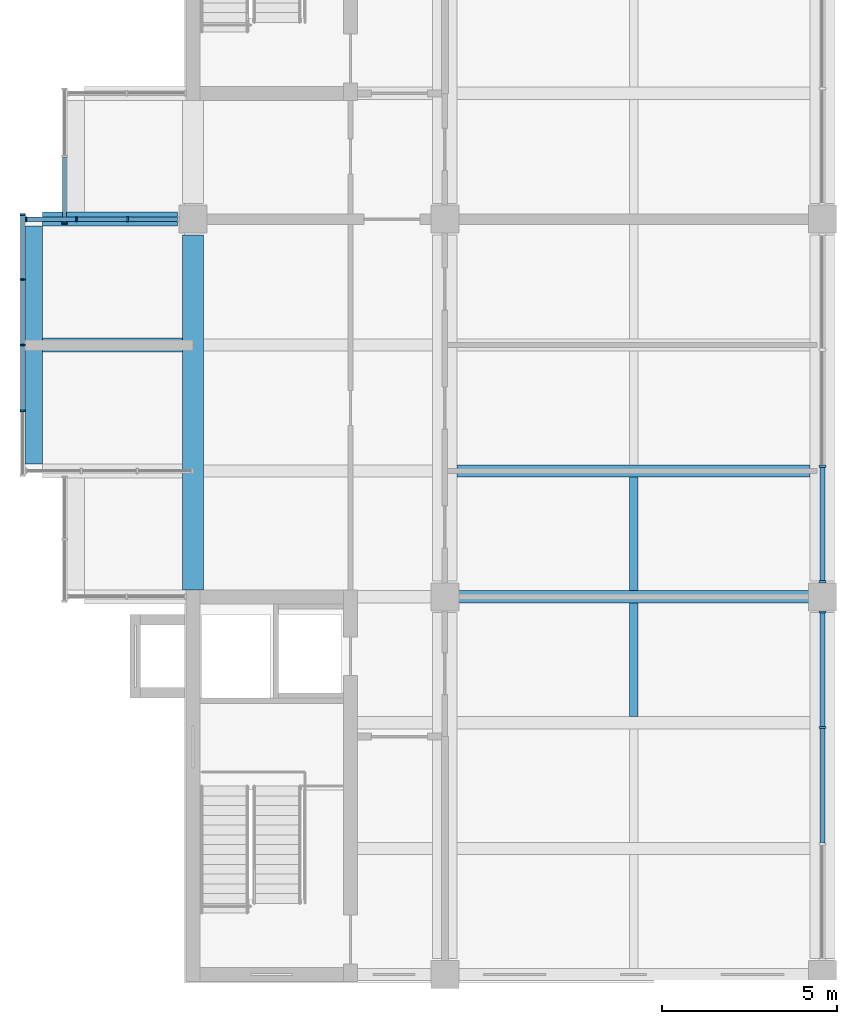
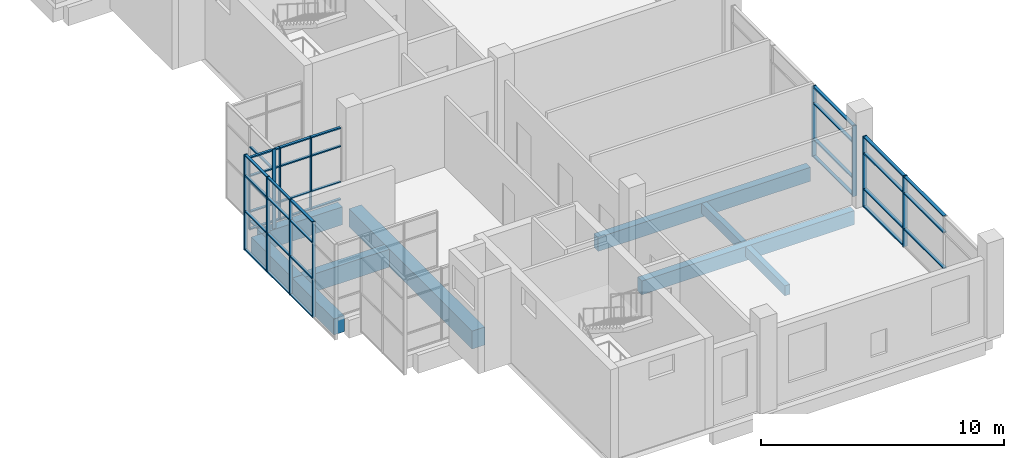
# One storey, part 3 of 14: 50 members, 9 beams, 5 elements without a shape of their own.
"""IFC4 building model written with IfcOpenShell, lengths in metres."""

from ifc_helpers import new_model, si_unit, direction, frame, origin, origin_2d, place, context, subcontext, project, spatial, rectangle, extrude, material, layer, layer_set, material_profile, profile_set, type_object, element, aggregate, save


model = new_model("IFC4")

# Units and contexts
model_context = context("Model", 3, precision=1e-05, world=origin(), true_north=direction((0.0, 1.0)))
body_context = subcontext(model_context, "Body", "Model", "MODEL_VIEW")
ifc_project = project(units=[si_unit("LENGTHUNIT", "METRE"), si_unit("AREAUNIT", "SQUARE_METRE"), si_unit("VOLUMEUNIT", "CUBIC_METRE"), si_unit("PLANEANGLEUNIT", "RADIAN"), si_unit("MASSUNIT", "GRAM", prefix="KILO")], contexts=[model_context])

# Site, building, storey
site_placement = place(None, origin())
site = spatial("IfcSite", under=ifc_project, at=site_placement, CompositionType="ELEMENT")
building_placement = place(site_placement, origin())
building = spatial("IfcBuilding", under=site, at=building_placement, Name="Basin Gate Institute", CompositionType="ELEMENT")
storey_placement = place(building_placement, frame((0.0, 0.0, 60.60009765625)))
storey = spatial("IfcBuildingStorey", under=building, at=storey_placement, Name="L12", CompositionType="ELEMENT", Elevation=60.60009765625)

# Beams
ifc_material_1 = material(Name="Concrete 40 MPa", Category="concrete")
ifc_material_profile_1 = material_profile(ifc_material_1, rectangle(XDim=0.35009765625, YDim=0.699951171875, at=origin_2d()), Name="Beam B1 350 x 700")
ifc_profile_set_1 = profile_set([ifc_material_profile_1], Name="Concrete 40 MPa")
beam_type_1 = type_object("IfcBeamType", Name="Beam B1 R120", PredefinedType="BEAM", material=ifc_profile_set_1)
for number, where, z_axis, x_axis, name in (
    (1, (68.75, 45.89990234375, -0.60009765625), (1.0, 0.0, 0.0), (0.0, 1.0, 0.0), "BEAM/L12/W/EW/04"),
    (2, (68.75, 49.5, -0.60009765625), (1.0, 0.0, 0.0), (0.0, 1.0, 0.0), "BEAM/L12/W/EW/05"),
):
    element("IfcBeam", number, at=place(storey_placement, frame(where, z_axis=z_axis, x_axis=x_axis)), inside=storey, type_object=beam_type_1, material=ifc_profile_set_1, Name=name, PredefinedType="BEAM", context=body_context, shape_type="SweptSolid", body=[
        extrude(rectangle(XDim=0.35009765625, YDim=0.699951171875, at=origin_2d()), origin(), (0.0, 0.0, 1.0), 10.10009765625),
    ])
ifc_material_2 = material(Name="Concrete 50 MPa", Category="concrete")
ifc_material_profile_2 = material_profile(ifc_material_2, rectangle(XDim=0.39990234375, YDim=0.89990234375, at=origin_2d()), Name="Cantilever beam B3 400 x 900")
ifc_profile_set_2 = profile_set([ifc_material_profile_2], Name="Concrete 50 MPa")
beam_type_2 = type_object("IfcBeamType", Name="Cantilever beam B3 R120", PredefinedType="BEAM", material=ifc_profile_set_2)
beam_1_placement = place(storey_placement, frame((56.89990234375, 53.10009765625, -0.7001953125), z_axis=(1.0, 0.0, 0.0), x_axis=(0.0, 1.0, 0.0)))
element("IfcBeam", 3, at=beam_1_placement, inside=storey, type_object=beam_type_2, material=ifc_profile_set_2, Name="BEAM/L12/W/CANT/06", PredefinedType="BEAM", context=body_context, shape_type="SweptSolid", body=[
    extrude(rectangle(XDim=0.39990234375, YDim=0.89990234375, at=origin_2d()), origin(), (0.0, 0.0, 1.0), 4.0),
])
beam_2_placement = place(storey_placement, frame((56.89990234375, 56.699951171875, -0.7001953125), z_axis=(1.0, 0.0, 0.0), x_axis=(0.0, 1.0, 0.0)))
element("IfcBeam", 4, at=beam_2_placement, inside=storey, type_object=beam_type_2, material=ifc_profile_set_2, Name="BEAM/L12/W/CANT/07", PredefinedType="BEAM", context=body_context, shape_type="SweptSolid", body=[
    extrude(rectangle(XDim=0.39990234375, YDim=0.89990234375, at=origin_2d()), origin(), (0.0, 0.0, 1.0), 3.85009765625),
])
ifc_material_3 = material(Name="Concrete 50 MPa", Category="concrete")
ifc_material_profile_3 = material_profile(ifc_material_3, rectangle(XDim=0.60009765625, YDim=0.89990234375, at=origin_2d()), Name="Edge beam EB1 600 x 900")
ifc_profile_set_3 = profile_set([ifc_material_profile_3], Name="Concrete 50 MPa")
beam_type_3 = type_object("IfcBeamType", Name="Edge beam EB1 R120", PredefinedType="SPANDREL", material=ifc_profile_set_3)
beam_3_placement = place(storey_placement, frame((61.199951171875, 46.10009765625, -0.7001953125), z_axis=(0.0, 1.0, 0.0), x_axis=(-1.0, 0.0, 0.0)))
element("IfcBeam", 5, at=beam_3_placement, inside=storey, type_object=beam_type_3, material=ifc_profile_set_3, Name="BEAM/L12/W/EDGE/1", PredefinedType="SPANDREL", context=body_context, shape_type="SweptSolid", body=[
    extrude(rectangle(XDim=0.60009765625, YDim=0.89990234375, at=origin_2d()), origin(), (0.0, 0.0, 1.0), 10.14990234375),
])

# Curtain wall, members
ifc_material_4 = material(Name="Aluminium-framed glazing", Category="aluminium")
ifc_layer_1 = layer(ifc_material_4, 0.14990234375)
ifc_layer_set_1 = layer_set([ifc_layer_1], Name="Capsule front curtain wall CW1")
curtain_wall_type_1 = type_object("IfcCurtainWallType", Name="Capsule front curtain wall CW1", PredefinedType="NOTDEFINED", material=ifc_layer_set_1)
curtain_wall_1_placement = place(storey_placement, origin())
curtain_wall_1 = element("IfcCurtainWall", 6, at=curtain_wall_1_placement, inside=storey, type_object=curtain_wall_type_1, material=ifc_layer_set_1, Name="Capsule front curtain wall W wing capsule end L12 line 7", PredefinedType="NOTDEFINED")
ifc_material_5 = material(Name="Aluminium", Category="aluminium")
ifc_material_profile_4 = material_profile(ifc_material_5, rectangle(XDim=0.14990234375, YDim=0.050048828125, at=origin_2d()), Name="Mullion MU1 150 x 50")
ifc_profile_set_4 = profile_set([ifc_material_profile_4], Name="Aluminium")
member_type_1 = type_object("IfcMemberType", Name="Mullion MU1", PredefinedType="MULLION", material=ifc_profile_set_4)
member_1_placement = place(storey_placement, frame((56.425048828125, 56.699951171875, 0.0), z_axis=(0.0, 0.0, 1.0), x_axis=(0.0, 1.0, 0.0)))
member_1 = element("IfcMember", 7, at=member_1_placement, type_object=member_type_1, material=ifc_profile_set_4, Name="CW1 mullion 1", PredefinedType="MULLION", context=body_context, shape_type="SweptSolid", body=[
    extrude(rectangle(XDim=0.14990234375, YDim=0.050048828125, at=origin_2d()), origin(), (0.0, 0.0, 1.0), 3.64990234375),
])
member_2_placement = place(storey_placement, frame((57.86669921875, 56.699951171875, 0.0), z_axis=(0.0, 0.0, 1.0), x_axis=(0.0, 1.0, 0.0)))
member_2 = element("IfcMember", 8, at=member_2_placement, type_object=member_type_1, material=ifc_profile_set_4, Name="CW1 mullion 2", PredefinedType="MULLION", context=body_context, shape_type="SweptSolid", body=[
    extrude(rectangle(XDim=0.14990234375, YDim=0.050048828125, at=origin_2d()), origin(), (0.0, 0.0, 1.0), 3.64990234375),
])
member_3_placement = place(storey_placement, frame((59.333251953125, 56.699951171875, 0.0), z_axis=(0.0, 0.0, 1.0), x_axis=(0.0, 1.0, 0.0)))
member_3 = element("IfcMember", 9, at=member_3_placement, type_object=member_type_1, material=ifc_profile_set_4, Name="CW1 mullion 3", PredefinedType="MULLION", context=body_context, shape_type="SweptSolid", body=[
    extrude(rectangle(XDim=0.14990234375, YDim=0.050048828125, at=origin_2d()), origin(), (0.0, 0.0, 1.0), 3.64990234375),
])

curtain_wall_2_placement = place(storey_placement, origin())
curtain_wall_2 = element("IfcCurtainWall", 10, at=curtain_wall_2_placement, inside=storey, type_object=curtain_wall_type_1, material=ifc_layer_set_1, Name="Capsule front curtain wall W wing capsule 1 L12 front 2", PredefinedType="NOTDEFINED")
member_4_placement = place(storey_placement, frame((56.324951171875, 51.22509765625, -1.050048828125), z_axis=(0.0, 0.0, 1.0), x_axis=(-1.0, 0.0, 0.0)))
member_4 = element("IfcMember", 11, at=member_4_placement, type_object=member_type_1, material=ifc_profile_set_4, Name="CW1 mullion 2", PredefinedType="MULLION", context=body_context, shape_type="SweptSolid", body=[
    extrude(rectangle(XDim=0.14990234375, YDim=0.050048828125, at=origin_2d()), origin(), (0.0, 0.0, 1.0), 4.800048828125),
])
member_5_placement = place(storey_placement, frame((56.324951171875, 53.10009765625, -1.050048828125), z_axis=(0.0, 0.0, 1.0), x_axis=(-1.0, 0.0, 0.0)))
member_5 = element("IfcMember", 12, at=member_5_placement, type_object=member_type_1, material=ifc_profile_set_4, Name="CW1 mullion 3", PredefinedType="MULLION", context=body_context, shape_type="SweptSolid", body=[
    extrude(rectangle(XDim=0.14990234375, YDim=0.050048828125, at=origin_2d()), origin(), (0.0, 0.0, 1.0), 4.800048828125),
])
member_6_placement = place(storey_placement, frame((56.324951171875, 54.97509765625, -1.050048828125), z_axis=(0.0, 0.0, 1.0), x_axis=(-1.0, 0.0, 0.0)))
member_6 = element("IfcMember", 13, at=member_6_placement, type_object=member_type_1, material=ifc_profile_set_4, Name="CW1 mullion 4", PredefinedType="MULLION", context=body_context, shape_type="SweptSolid", body=[
    extrude(rectangle(XDim=0.14990234375, YDim=0.050048828125, at=origin_2d()), origin(), (0.0, 0.0, 1.0), 4.800048828125),
])
member_7_placement = place(storey_placement, frame((56.324951171875, 56.824951171875, -1.050048828125), z_axis=(0.0, 0.0, 1.0), x_axis=(-1.0, 0.0, 0.0)))
member_7 = element("IfcMember", 14, at=member_7_placement, type_object=member_type_1, material=ifc_profile_set_4, Name="CW1 mullion 5", PredefinedType="MULLION", context=body_context, shape_type="SweptSolid", body=[
    extrude(rectangle(XDim=0.14990234375, YDim=0.050048828125, at=origin_2d()), origin(), (0.0, 0.0, 1.0), 4.800048828125),
])

# Curtain wall, member
curtain_wall_3_placement = place(storey_placement, origin())
curtain_wall_3 = element("IfcCurtainWall", 15, at=curtain_wall_3_placement, inside=storey, type_object=curtain_wall_type_1, material=ifc_layer_set_1, Name="Capsule front curtain wall W wing capsule 1 L12 front 4", PredefinedType="NOTDEFINED")
member_8_placement = place(storey_placement, frame((57.52490234375, 56.574951171875, -1.050048828125), z_axis=(0.0, 0.0, 1.0), x_axis=(-1.0, 0.0, 0.0)))
member_8 = element("IfcMember", 16, at=member_8_placement, type_object=member_type_1, material=ifc_profile_set_4, Name="CW1 mullion 1", PredefinedType="MULLION", context=body_context, shape_type="SweptSolid", body=[
    extrude(rectangle(XDim=0.14990234375, YDim=0.050048828125, at=origin_2d()), origin(), (0.0, 0.0, 1.0), 4.800048828125),
])

# Curtain wall, members
ifc_material_6 = material(Name="Aluminium-framed glazing", Category="aluminium")
ifc_layer_2 = layer(ifc_material_6, 0.199951171875)
ifc_layer_set_2 = layer_set([ifc_layer_2], Name="Atrium curtain wall CW2")
curtain_wall_type_2 = type_object("IfcCurtainWallType", Name="Atrium curtain wall CW2", PredefinedType="NOTDEFINED", material=ifc_layer_set_2)
curtain_wall_4_placement = place(storey_placement, origin())
curtain_wall_4 = element("IfcCurtainWall", 17, at=curtain_wall_4_placement, inside=storey, type_object=curtain_wall_type_2, material=ifc_layer_set_2, Name="Atrium curtain wall W wing atrium bay 1 L12", PredefinedType="NOTDEFINED")
ifc_material_7 = material(Name="Aluminium", Category="aluminium")
ifc_material_profile_5 = material_profile(ifc_material_7, rectangle(XDim=0.199951171875, YDim=0.06005859375, at=origin_2d()), Name="Mullion MU2 200 x 60")
ifc_profile_set_5 = profile_set([ifc_material_profile_5], Name="Aluminium")
member_type_2 = type_object("IfcMemberType", Name="Mullion MU2", PredefinedType="MULLION", material=ifc_profile_set_5)
member_9_placement = place(storey_placement, frame((79.199951171875, 42.166748046875, 0.0), z_axis=(0.0, 0.0, 1.0), x_axis=(-1.0, 0.0, 0.0)))
member_9 = element("IfcMember", 18, at=member_9_placement, type_object=member_type_2, material=ifc_profile_set_5, Name="CW2 mullion 3", PredefinedType="MULLION", context=body_context, shape_type="SweptSolid", body=[
    extrude(rectangle(XDim=0.199951171875, YDim=0.06005859375, at=origin_2d()), origin(), (0.0, 0.0, 1.0), 3.5498046875),
])
member_10_placement = place(storey_placement, frame((79.199951171875, 45.469970703125, 0.0), z_axis=(0.0, 0.0, 1.0), x_axis=(-1.0, 0.0, 0.0)))
member_10 = element("IfcMember", 19, at=member_10_placement, type_object=member_type_2, material=ifc_profile_set_5, Name="CW2 mullion 4", PredefinedType="MULLION", context=body_context, shape_type="SweptSolid", body=[
    extrude(rectangle(XDim=0.199951171875, YDim=0.06005859375, at=origin_2d()), origin(), (0.0, 0.0, 1.0), 3.5498046875),
])

curtain_wall_5_placement = place(storey_placement, origin())
curtain_wall_5 = element("IfcCurtainWall", 20, at=curtain_wall_5_placement, inside=storey, type_object=curtain_wall_type_2, material=ifc_layer_set_2, Name="Atrium curtain wall W wing atrium bay 2 L12", PredefinedType="NOTDEFINED")
member_11_placement = place(storey_placement, frame((79.199951171875, 46.330078125, 0.0), z_axis=(0.0, 0.0, 1.0), x_axis=(-1.0, 0.0, 0.0)))
member_11 = element("IfcMember", 21, at=member_11_placement, type_object=member_type_2, material=ifc_profile_set_5, Name="CW2 mullion 1", PredefinedType="MULLION", context=body_context, shape_type="SweptSolid", body=[
    extrude(rectangle(XDim=0.199951171875, YDim=0.06005859375, at=origin_2d()), origin(), (0.0, 0.0, 1.0), 3.5498046875),
])
member_12_placement = place(storey_placement, frame((79.199951171875, 49.63330078125, 0.0), z_axis=(0.0, 0.0, 1.0), x_axis=(-1.0, 0.0, 0.0)))
member_12 = element("IfcMember", 22, at=member_12_placement, type_object=member_type_2, material=ifc_profile_set_5, Name="CW2 mullion 2", PredefinedType="MULLION", context=body_context, shape_type="SweptSolid", body=[
    extrude(rectangle(XDim=0.199951171875, YDim=0.06005859375, at=origin_2d()), origin(), (0.0, 0.0, 1.0), 3.5498046875),
])

# Beams
ifc_material_8 = material(Name="Concrete 40 MPa", Category="concrete")
ifc_material_profile_6 = material_profile(ifc_material_8, rectangle(XDim=0.25, YDim=0.5, at=origin_2d()), Name="Rib R1 250 x 500")
ifc_profile_set_6 = profile_set([ifc_material_profile_6], Name="Concrete 40 MPa")
beam_type_4 = type_object("IfcBeamType", Name="Rib R1 R120", PredefinedType="JOIST", material=ifc_profile_set_6)
for number, where, z_axis, x_axis, name in (
    (23, (73.800048828125, 42.47509765625, -0.5), (0.0, 1.0, 0.0), (-1.0, 0.0, 0.0), "BEAM/L12/W/RIB/03"),
    (24, (73.800048828125, 46.074951171875, -0.5), (0.0, 1.0, 0.0), (-1.0, 0.0, 0.0), "BEAM/L12/W/RIB/04"),
):
    element("IfcBeam", number, at=place(storey_placement, frame(where, z_axis=z_axis, x_axis=x_axis)), inside=storey, type_object=beam_type_4, material=ifc_profile_set_6, Name=name, PredefinedType="JOIST", context=body_context, shape_type="SweptSolid", body=[
        extrude(rectangle(XDim=0.25, YDim=0.5, at=origin_2d()), origin(), (0.0, 0.0, 1.0), 3.25),
    ])
ifc_material_9 = material(Name="Concrete 50 MPa", Category="concrete")
ifc_material_profile_7 = material_profile(ifc_material_9, rectangle(XDim=0.5, YDim=0.800048828125, at=origin_2d()), Name="Tip beam TB1 500 x 800")
ifc_profile_set_7 = profile_set([ifc_material_profile_7], Name="Concrete 50 MPa")
beam_type_5 = type_object("IfcBeamType", Name="Tip beam TB1 R120", PredefinedType="SPANDREL", material=ifc_profile_set_7)
beam_4_placement = place(storey_placement, frame((56.64990234375, 49.699951171875, -0.650146484375), z_axis=(0.0, 1.0, 0.0), x_axis=(-1.0, 0.0, 0.0)))
element("IfcBeam", 25, at=beam_4_placement, inside=storey, type_object=beam_type_5, material=ifc_profile_set_7, Name="BEAM/L12/W/TIP/2", PredefinedType="SPANDREL", context=body_context, shape_type="SweptSolid", body=[
    extrude(rectangle(XDim=0.5, YDim=0.800048828125, at=origin_2d()), origin(), (0.0, 0.0, 1.0), 3.400146484375),
])
beam_5_placement = place(storey_placement, frame((56.64990234375, 53.10009765625, -0.650146484375), z_axis=(0.0, 1.0, 0.0), x_axis=(-1.0, 0.0, 0.0)))
element("IfcBeam", 26, at=beam_5_placement, inside=storey, type_object=beam_type_5, material=ifc_profile_set_7, Name="BEAM/L12/W/TIP/3", PredefinedType="SPANDREL", context=body_context, shape_type="SweptSolid", body=[
    extrude(rectangle(XDim=0.5, YDim=0.800048828125, at=origin_2d()), origin(), (0.0, 0.0, 1.0), 3.39990234375),
])

# Member
ifc_material_10 = material(Name="Aluminium", Category="aluminium")
ifc_material_profile_8 = material_profile(ifc_material_10, rectangle(XDim=0.1201171875, YDim=0.06005859375, at=origin_2d()), Name="Transom TR1 120 x 60")
ifc_profile_set_8 = profile_set([ifc_material_profile_8], Name="Aluminium")
member_type_3 = type_object("IfcMemberType", Name="Transom TR1", PredefinedType="USERDEFINED", material=ifc_profile_set_8)
member_13_placement = place(storey_placement, frame((56.449951171875, 56.699951171875, 0.02978515625), z_axis=(1.0, 0.0, 0.0), x_axis=(0.0, 1.0, 0.0)))
member_13 = element("IfcMember", 27, at=member_13_placement, type_object=member_type_3, material=ifc_profile_set_8, Name="CW1 transom 1.1", ObjectType="TRANSOM", PredefinedType="USERDEFINED", context=body_context, shape_type="SweptSolid", body=[
    extrude(rectangle(XDim=0.1201171875, YDim=0.06005859375, at=origin_2d()), origin(), (0.0, 0.0, 1.0), 1.3916015625),
])

member_14_placement = place(storey_placement, frame((56.449951171875, 56.699951171875, 0.89990234375), z_axis=(1.0, 0.0, 0.0), x_axis=(0.0, 1.0, 0.0)))
member_14 = element("IfcMember", 28, at=member_14_placement, type_object=member_type_3, material=ifc_profile_set_8, Name="CW1 transom 1.2", ObjectType="TRANSOM", PredefinedType="USERDEFINED", context=body_context, shape_type="SweptSolid", body=[
    extrude(rectangle(XDim=0.1201171875, YDim=0.06005859375, at=origin_2d()), origin(), (0.0, 0.0, 1.0), 1.3916015625),
])

member_15_placement = place(storey_placement, frame((56.449951171875, 56.699951171875, 2.699951171875), z_axis=(1.0, 0.0, 0.0), x_axis=(0.0, 1.0, 0.0)))
member_15 = element("IfcMember", 29, at=member_15_placement, type_object=member_type_3, material=ifc_profile_set_8, Name="CW1 transom 1.3", ObjectType="TRANSOM", PredefinedType="USERDEFINED", context=body_context, shape_type="SweptSolid", body=[
    extrude(rectangle(XDim=0.1201171875, YDim=0.06005859375, at=origin_2d()), origin(), (0.0, 0.0, 1.0), 1.3916015625),
])

member_16_placement = place(storey_placement, frame((56.449951171875, 56.699951171875, 3.619873046875), z_axis=(1.0, 0.0, 0.0), x_axis=(0.0, 1.0, 0.0)))
member_16 = element("IfcMember", 30, at=member_16_placement, type_object=member_type_3, material=ifc_profile_set_8, Name="CW1 transom 1.4", ObjectType="TRANSOM", PredefinedType="USERDEFINED", context=body_context, shape_type="SweptSolid", body=[
    extrude(rectangle(XDim=0.1201171875, YDim=0.06005859375, at=origin_2d()), origin(), (0.0, 0.0, 1.0), 1.3916015625),
])

member_17_placement = place(storey_placement, frame((57.8916015625, 56.699951171875, 0.02978515625), z_axis=(1.0, 0.0, 0.0), x_axis=(0.0, 1.0, 0.0)))
member_17 = element("IfcMember", 31, at=member_17_placement, type_object=member_type_3, material=ifc_profile_set_8, Name="CW1 transom 2.1", ObjectType="TRANSOM", PredefinedType="USERDEFINED", context=body_context, shape_type="SweptSolid", body=[
    extrude(rectangle(XDim=0.1201171875, YDim=0.06005859375, at=origin_2d()), origin(), (0.0, 0.0, 1.0), 1.416748046875),
])

member_18_placement = place(storey_placement, frame((57.8916015625, 56.699951171875, 0.89990234375), z_axis=(1.0, 0.0, 0.0), x_axis=(0.0, 1.0, 0.0)))
member_18 = element("IfcMember", 32, at=member_18_placement, type_object=member_type_3, material=ifc_profile_set_8, Name="CW1 transom 2.2", ObjectType="TRANSOM", PredefinedType="USERDEFINED", context=body_context, shape_type="SweptSolid", body=[
    extrude(rectangle(XDim=0.1201171875, YDim=0.06005859375, at=origin_2d()), origin(), (0.0, 0.0, 1.0), 1.416748046875),
])

member_19_placement = place(storey_placement, frame((57.8916015625, 56.699951171875, 2.699951171875), z_axis=(1.0, 0.0, 0.0), x_axis=(0.0, 1.0, 0.0)))
member_19 = element("IfcMember", 33, at=member_19_placement, type_object=member_type_3, material=ifc_profile_set_8, Name="CW1 transom 2.3", ObjectType="TRANSOM", PredefinedType="USERDEFINED", context=body_context, shape_type="SweptSolid", body=[
    extrude(rectangle(XDim=0.1201171875, YDim=0.06005859375, at=origin_2d()), origin(), (0.0, 0.0, 1.0), 1.416748046875),
])

member_20_placement = place(storey_placement, frame((57.8916015625, 56.699951171875, 3.619873046875), z_axis=(1.0, 0.0, 0.0), x_axis=(0.0, 1.0, 0.0)))
member_20 = element("IfcMember", 34, at=member_20_placement, type_object=member_type_3, material=ifc_profile_set_8, Name="CW1 transom 2.4", ObjectType="TRANSOM", PredefinedType="USERDEFINED", context=body_context, shape_type="SweptSolid", body=[
    extrude(rectangle(XDim=0.1201171875, YDim=0.06005859375, at=origin_2d()), origin(), (0.0, 0.0, 1.0), 1.416748046875),
])

member_21_placement = place(storey_placement, frame((59.3583984375, 56.699951171875, 0.02978515625), z_axis=(1.0, 0.0, 0.0), x_axis=(0.0, 1.0, 0.0)))
member_21 = element("IfcMember", 35, at=member_21_placement, type_object=member_type_3, material=ifc_profile_set_8, Name="CW1 transom 3.1", ObjectType="TRANSOM", PredefinedType="USERDEFINED", context=body_context, shape_type="SweptSolid", body=[
    extrude(rectangle(XDim=0.1201171875, YDim=0.06005859375, at=origin_2d()), origin(), (0.0, 0.0, 1.0), 1.3916015625),
])

member_22_placement = place(storey_placement, frame((59.3583984375, 56.699951171875, 0.89990234375), z_axis=(1.0, 0.0, 0.0), x_axis=(0.0, 1.0, 0.0)))
member_22 = element("IfcMember", 36, at=member_22_placement, type_object=member_type_3, material=ifc_profile_set_8, Name="CW1 transom 3.2", ObjectType="TRANSOM", PredefinedType="USERDEFINED", context=body_context, shape_type="SweptSolid", body=[
    extrude(rectangle(XDim=0.1201171875, YDim=0.06005859375, at=origin_2d()), origin(), (0.0, 0.0, 1.0), 1.3916015625),
])

member_23_placement = place(storey_placement, frame((59.3583984375, 56.699951171875, 2.699951171875), z_axis=(1.0, 0.0, 0.0), x_axis=(0.0, 1.0, 0.0)))
member_23 = element("IfcMember", 37, at=member_23_placement, type_object=member_type_3, material=ifc_profile_set_8, Name="CW1 transom 3.3", ObjectType="TRANSOM", PredefinedType="USERDEFINED", context=body_context, shape_type="SweptSolid", body=[
    extrude(rectangle(XDim=0.1201171875, YDim=0.06005859375, at=origin_2d()), origin(), (0.0, 0.0, 1.0), 1.3916015625),
])

member_24_placement = place(storey_placement, frame((59.3583984375, 56.699951171875, 3.619873046875), z_axis=(1.0, 0.0, 0.0), x_axis=(0.0, 1.0, 0.0)))
member_24 = element("IfcMember", 38, at=member_24_placement, type_object=member_type_3, material=ifc_profile_set_8, Name="CW1 transom 3.4", ObjectType="TRANSOM", PredefinedType="USERDEFINED", context=body_context, shape_type="SweptSolid", body=[
    extrude(rectangle(XDim=0.1201171875, YDim=0.06005859375, at=origin_2d()), origin(), (0.0, 0.0, 1.0), 1.3916015625),
])

aggregate(curtain_wall_1, [member_1, member_2, member_3, member_13, member_14, member_15, member_16, member_17, member_18, member_19, member_20, member_21, member_22, member_23, member_24])

member_25_placement = place(storey_placement, frame((56.324951171875, 51.25, -1.02001953125), z_axis=(0.0, 1.0, 0.0), x_axis=(-1.0, 0.0, 0.0)))
member_25 = element("IfcMember", 39, at=member_25_placement, type_object=member_type_3, material=ifc_profile_set_8, Name="CW1 transom 2.1", ObjectType="TRANSOM", PredefinedType="USERDEFINED", context=body_context, shape_type="SweptSolid", body=[
    extrude(rectangle(XDim=0.1201171875, YDim=0.06005859375, at=origin_2d()), origin(), (0.0, 0.0, 1.0), 1.824951171875),
])

member_26_placement = place(storey_placement, frame((56.324951171875, 51.25, 0.89990234375), z_axis=(0.0, 1.0, 0.0), x_axis=(-1.0, 0.0, 0.0)))
member_26 = element("IfcMember", 40, at=member_26_placement, type_object=member_type_3, material=ifc_profile_set_8, Name="CW1 transom 2.2", ObjectType="TRANSOM", PredefinedType="USERDEFINED", context=body_context, shape_type="SweptSolid", body=[
    extrude(rectangle(XDim=0.1201171875, YDim=0.06005859375, at=origin_2d()), origin(), (0.0, 0.0, 1.0), 1.824951171875),
])

member_27_placement = place(storey_placement, frame((56.324951171875, 51.25, 2.699951171875), z_axis=(0.0, 1.0, 0.0), x_axis=(-1.0, 0.0, 0.0)))
member_27 = element("IfcMember", 41, at=member_27_placement, type_object=member_type_3, material=ifc_profile_set_8, Name="CW1 transom 2.3", ObjectType="TRANSOM", PredefinedType="USERDEFINED", context=body_context, shape_type="SweptSolid", body=[
    extrude(rectangle(XDim=0.1201171875, YDim=0.06005859375, at=origin_2d()), origin(), (0.0, 0.0, 1.0), 1.824951171875),
])

member_28_placement = place(storey_placement, frame((56.324951171875, 51.25, 3.719970703125), z_axis=(0.0, 1.0, 0.0), x_axis=(-1.0, 0.0, 0.0)))
member_28 = element("IfcMember", 42, at=member_28_placement, type_object=member_type_3, material=ifc_profile_set_8, Name="CW1 transom 2.4", ObjectType="TRANSOM", PredefinedType="USERDEFINED", context=body_context, shape_type="SweptSolid", body=[
    extrude(rectangle(XDim=0.1201171875, YDim=0.06005859375, at=origin_2d()), origin(), (0.0, 0.0, 1.0), 1.824951171875),
])

member_29_placement = place(storey_placement, frame((56.324951171875, 53.125, -1.02001953125), z_axis=(0.0, 1.0, 0.0), x_axis=(-1.0, 0.0, 0.0)))
member_29 = element("IfcMember", 43, at=member_29_placement, type_object=member_type_3, material=ifc_profile_set_8, Name="CW1 transom 3.1", ObjectType="TRANSOM", PredefinedType="USERDEFINED", context=body_context, shape_type="SweptSolid", body=[
    extrude(rectangle(XDim=0.1201171875, YDim=0.06005859375, at=origin_2d()), origin(), (0.0, 0.0, 1.0), 1.824951171875),
])

member_30_placement = place(storey_placement, frame((56.324951171875, 53.125, 0.89990234375), z_axis=(0.0, 1.0, 0.0), x_axis=(-1.0, 0.0, 0.0)))
member_30 = element("IfcMember", 44, at=member_30_placement, type_object=member_type_3, material=ifc_profile_set_8, Name="CW1 transom 3.2", ObjectType="TRANSOM", PredefinedType="USERDEFINED", context=body_context, shape_type="SweptSolid", body=[
    extrude(rectangle(XDim=0.1201171875, YDim=0.06005859375, at=origin_2d()), origin(), (0.0, 0.0, 1.0), 1.824951171875),
])

member_31_placement = place(storey_placement, frame((56.324951171875, 53.125, 2.699951171875), z_axis=(0.0, 1.0, 0.0), x_axis=(-1.0, 0.0, 0.0)))
member_31 = element("IfcMember", 45, at=member_31_placement, type_object=member_type_3, material=ifc_profile_set_8, Name="CW1 transom 3.3", ObjectType="TRANSOM", PredefinedType="USERDEFINED", context=body_context, shape_type="SweptSolid", body=[
    extrude(rectangle(XDim=0.1201171875, YDim=0.06005859375, at=origin_2d()), origin(), (0.0, 0.0, 1.0), 1.824951171875),
])

member_32_placement = place(storey_placement, frame((56.324951171875, 53.125, 3.719970703125), z_axis=(0.0, 1.0, 0.0), x_axis=(-1.0, 0.0, 0.0)))
member_32 = element("IfcMember", 46, at=member_32_placement, type_object=member_type_3, material=ifc_profile_set_8, Name="CW1 transom 3.4", ObjectType="TRANSOM", PredefinedType="USERDEFINED", context=body_context, shape_type="SweptSolid", body=[
    extrude(rectangle(XDim=0.1201171875, YDim=0.06005859375, at=origin_2d()), origin(), (0.0, 0.0, 1.0), 1.824951171875),
])

member_33_placement = place(storey_placement, frame((56.324951171875, 55.0, -1.02001953125), z_axis=(0.0, 1.0, 0.0), x_axis=(-1.0, 0.0, 0.0)))
member_33 = element("IfcMember", 47, at=member_33_placement, type_object=member_type_3, material=ifc_profile_set_8, Name="CW1 transom 4.1", ObjectType="TRANSOM", PredefinedType="USERDEFINED", context=body_context, shape_type="SweptSolid", body=[
    extrude(rectangle(XDim=0.1201171875, YDim=0.06005859375, at=origin_2d()), origin(), (0.0, 0.0, 1.0), 1.800048828125),
])

member_34_placement = place(storey_placement, frame((56.324951171875, 55.0, 0.89990234375), z_axis=(0.0, 1.0, 0.0), x_axis=(-1.0, 0.0, 0.0)))
member_34 = element("IfcMember", 48, at=member_34_placement, type_object=member_type_3, material=ifc_profile_set_8, Name="CW1 transom 4.2", ObjectType="TRANSOM", PredefinedType="USERDEFINED", context=body_context, shape_type="SweptSolid", body=[
    extrude(rectangle(XDim=0.1201171875, YDim=0.06005859375, at=origin_2d()), origin(), (0.0, 0.0, 1.0), 1.800048828125),
])

member_35_placement = place(storey_placement, frame((56.324951171875, 55.0, 2.699951171875), z_axis=(0.0, 1.0, 0.0), x_axis=(-1.0, 0.0, 0.0)))
member_35 = element("IfcMember", 49, at=member_35_placement, type_object=member_type_3, material=ifc_profile_set_8, Name="CW1 transom 4.3", ObjectType="TRANSOM", PredefinedType="USERDEFINED", context=body_context, shape_type="SweptSolid", body=[
    extrude(rectangle(XDim=0.1201171875, YDim=0.06005859375, at=origin_2d()), origin(), (0.0, 0.0, 1.0), 1.800048828125),
])

member_36_placement = place(storey_placement, frame((56.324951171875, 55.0, 3.719970703125), z_axis=(0.0, 1.0, 0.0), x_axis=(-1.0, 0.0, 0.0)))
member_36 = element("IfcMember", 50, at=member_36_placement, type_object=member_type_3, material=ifc_profile_set_8, Name="CW1 transom 4.4", ObjectType="TRANSOM", PredefinedType="USERDEFINED", context=body_context, shape_type="SweptSolid", body=[
    extrude(rectangle(XDim=0.1201171875, YDim=0.06005859375, at=origin_2d()), origin(), (0.0, 0.0, 1.0), 1.800048828125),
])

aggregate(curtain_wall_2, [member_4, member_5, member_6, member_7, member_25, member_26, member_27, member_28, member_29, member_30, member_31, member_32, member_33, member_34, member_35, member_36])

member_37_placement = place(storey_placement, frame((57.52490234375, 56.60009765625, -1.02001953125), z_axis=(0.0, 1.0, 0.0), x_axis=(-1.0, 0.0, 0.0)))
member_37 = element("IfcMember", 51, at=member_37_placement, type_object=member_type_3, material=ifc_profile_set_8, Name="CW1 transom 1.1", ObjectType="TRANSOM", PredefinedType="USERDEFINED", context=body_context, shape_type="SweptSolid", body=[
    extrude(rectangle(XDim=0.1201171875, YDim=0.06005859375, at=origin_2d()), origin(), (0.0, 0.0, 1.0), 1.875),
])

member_38_placement = place(storey_placement, frame((57.52490234375, 56.60009765625, 0.89990234375), z_axis=(0.0, 1.0, 0.0), x_axis=(-1.0, 0.0, 0.0)))
member_38 = element("IfcMember", 52, at=member_38_placement, type_object=member_type_3, material=ifc_profile_set_8, Name="CW1 transom 1.2", ObjectType="TRANSOM", PredefinedType="USERDEFINED", context=body_context, shape_type="SweptSolid", body=[
    extrude(rectangle(XDim=0.1201171875, YDim=0.06005859375, at=origin_2d()), origin(), (0.0, 0.0, 1.0), 1.875),
])

member_39_placement = place(storey_placement, frame((57.52490234375, 56.60009765625, 2.699951171875), z_axis=(0.0, 1.0, 0.0), x_axis=(-1.0, 0.0, 0.0)))
member_39 = element("IfcMember", 53, at=member_39_placement, type_object=member_type_3, material=ifc_profile_set_8, Name="CW1 transom 1.3", ObjectType="TRANSOM", PredefinedType="USERDEFINED", context=body_context, shape_type="SweptSolid", body=[
    extrude(rectangle(XDim=0.1201171875, YDim=0.06005859375, at=origin_2d()), origin(), (0.0, 0.0, 1.0), 1.875),
])

aggregate(curtain_wall_3, [member_8, member_37, member_38, member_39])

ifc_material_11 = material(Name="Aluminium", Category="aluminium")
ifc_material_profile_9 = material_profile(ifc_material_11, rectangle(XDim=0.14990234375, YDim=0.06005859375, at=origin_2d()), Name="Transom TR2 150 x 60")
ifc_profile_set_9 = profile_set([ifc_material_profile_9], Name="Aluminium")
member_type_4 = type_object("IfcMemberType", Name="Transom TR2", PredefinedType="USERDEFINED", material=ifc_profile_set_9)
member_40_placement = place(storey_placement, frame((79.199951171875, 38.86328125, 0.89990234375), z_axis=(0.0, 1.0, 0.0), x_axis=(-1.0, 0.0, 0.0)))
member_40 = element("IfcMember", 54, at=member_40_placement, type_object=member_type_4, material=ifc_profile_set_9, Name="CW2 transom 2.2", ObjectType="TRANSOM", PredefinedType="USERDEFINED", context=body_context, shape_type="SweptSolid", body=[
    extrude(rectangle(XDim=0.14990234375, YDim=0.06005859375, at=origin_2d()), origin(), (0.0, 0.0, 1.0), 3.2734375),
])

member_41_placement = place(storey_placement, frame((79.199951171875, 38.86328125, 2.699951171875), z_axis=(0.0, 1.0, 0.0), x_axis=(-1.0, 0.0, 0.0)))
member_41 = element("IfcMember", 55, at=member_41_placement, type_object=member_type_4, material=ifc_profile_set_9, Name="CW2 transom 2.3", ObjectType="TRANSOM", PredefinedType="USERDEFINED", context=body_context, shape_type="SweptSolid", body=[
    extrude(rectangle(XDim=0.14990234375, YDim=0.06005859375, at=origin_2d()), origin(), (0.0, 0.0, 1.0), 3.2734375),
])

member_42_placement = place(storey_placement, frame((79.199951171875, 38.86328125, 3.52001953125), z_axis=(0.0, 1.0, 0.0), x_axis=(-1.0, 0.0, 0.0)))
member_42 = element("IfcMember", 56, at=member_42_placement, type_object=member_type_4, material=ifc_profile_set_9, Name="CW2 transom 2.4", ObjectType="TRANSOM", PredefinedType="USERDEFINED", context=body_context, shape_type="SweptSolid", body=[
    extrude(rectangle(XDim=0.14990234375, YDim=0.06005859375, at=origin_2d()), origin(), (0.0, 0.0, 1.0), 3.2734375),
])

member_43_placement = place(storey_placement, frame((79.199951171875, 42.19677734375, 0.02978515625), z_axis=(0.0, 1.0, 0.0), x_axis=(-1.0, 0.0, 0.0)))
member_43 = element("IfcMember", 57, at=member_43_placement, type_object=member_type_4, material=ifc_profile_set_9, Name="CW2 transom 3.1", ObjectType="TRANSOM", PredefinedType="USERDEFINED", context=body_context, shape_type="SweptSolid", body=[
    extrude(rectangle(XDim=0.14990234375, YDim=0.06005859375, at=origin_2d()), origin(), (0.0, 0.0, 1.0), 3.2431640625),
])

member_44_placement = place(storey_placement, frame((79.199951171875, 42.19677734375, 0.89990234375), z_axis=(0.0, 1.0, 0.0), x_axis=(-1.0, 0.0, 0.0)))
member_44 = element("IfcMember", 58, at=member_44_placement, type_object=member_type_4, material=ifc_profile_set_9, Name="CW2 transom 3.2", ObjectType="TRANSOM", PredefinedType="USERDEFINED", context=body_context, shape_type="SweptSolid", body=[
    extrude(rectangle(XDim=0.14990234375, YDim=0.06005859375, at=origin_2d()), origin(), (0.0, 0.0, 1.0), 3.2431640625),
])

member_45_placement = place(storey_placement, frame((79.199951171875, 42.19677734375, 2.699951171875), z_axis=(0.0, 1.0, 0.0), x_axis=(-1.0, 0.0, 0.0)))
member_45 = element("IfcMember", 59, at=member_45_placement, type_object=member_type_4, material=ifc_profile_set_9, Name="CW2 transom 3.3", ObjectType="TRANSOM", PredefinedType="USERDEFINED", context=body_context, shape_type="SweptSolid", body=[
    extrude(rectangle(XDim=0.14990234375, YDim=0.06005859375, at=origin_2d()), origin(), (0.0, 0.0, 1.0), 3.2431640625),
])

member_46_placement = place(storey_placement, frame((79.199951171875, 42.19677734375, 3.52001953125), z_axis=(0.0, 1.0, 0.0), x_axis=(-1.0, 0.0, 0.0)))
member_46 = element("IfcMember", 60, at=member_46_placement, type_object=member_type_4, material=ifc_profile_set_9, Name="CW2 transom 3.4", ObjectType="TRANSOM", PredefinedType="USERDEFINED", context=body_context, shape_type="SweptSolid", body=[
    extrude(rectangle(XDim=0.14990234375, YDim=0.06005859375, at=origin_2d()), origin(), (0.0, 0.0, 1.0), 3.2431640625),
])

aggregate(curtain_wall_4, [member_9, member_10, member_40, member_41, member_42, member_43, member_44, member_45, member_46])

member_47_placement = place(storey_placement, frame((79.199951171875, 46.360107421875, 0.02978515625), z_axis=(0.0, 1.0, 0.0), x_axis=(-1.0, 0.0, 0.0)))
member_47 = element("IfcMember", 61, at=member_47_placement, type_object=member_type_4, material=ifc_profile_set_9, Name="CW2 transom 1.1", ObjectType="TRANSOM", PredefinedType="USERDEFINED", context=body_context, shape_type="SweptSolid", body=[
    extrude(rectangle(XDim=0.14990234375, YDim=0.06005859375, at=origin_2d()), origin(), (0.0, 0.0, 1.0), 3.2431640625),
])

member_48_placement = place(storey_placement, frame((79.199951171875, 46.360107421875, 0.89990234375), z_axis=(0.0, 1.0, 0.0), x_axis=(-1.0, 0.0, 0.0)))
member_48 = element("IfcMember", 62, at=member_48_placement, type_object=member_type_4, material=ifc_profile_set_9, Name="CW2 transom 1.2", ObjectType="TRANSOM", PredefinedType="USERDEFINED", context=body_context, shape_type="SweptSolid", body=[
    extrude(rectangle(XDim=0.14990234375, YDim=0.06005859375, at=origin_2d()), origin(), (0.0, 0.0, 1.0), 3.2431640625),
])

member_49_placement = place(storey_placement, frame((79.199951171875, 46.360107421875, 2.699951171875), z_axis=(0.0, 1.0, 0.0), x_axis=(-1.0, 0.0, 0.0)))
member_49 = element("IfcMember", 63, at=member_49_placement, type_object=member_type_4, material=ifc_profile_set_9, Name="CW2 transom 1.3", ObjectType="TRANSOM", PredefinedType="USERDEFINED", context=body_context, shape_type="SweptSolid", body=[
    extrude(rectangle(XDim=0.14990234375, YDim=0.06005859375, at=origin_2d()), origin(), (0.0, 0.0, 1.0), 3.2431640625),
])

member_50_placement = place(storey_placement, frame((79.199951171875, 46.360107421875, 3.52001953125), z_axis=(0.0, 1.0, 0.0), x_axis=(-1.0, 0.0, 0.0)))
member_50 = element("IfcMember", 64, at=member_50_placement, type_object=member_type_4, material=ifc_profile_set_9, Name="CW2 transom 1.4", ObjectType="TRANSOM", PredefinedType="USERDEFINED", context=body_context, shape_type="SweptSolid", body=[
    extrude(rectangle(XDim=0.14990234375, YDim=0.06005859375, at=origin_2d()), origin(), (0.0, 0.0, 1.0), 3.2431640625),
])

aggregate(curtain_wall_5, [member_11, member_12, member_47, member_48, member_49, member_50])

save(model, "model.ifc")
